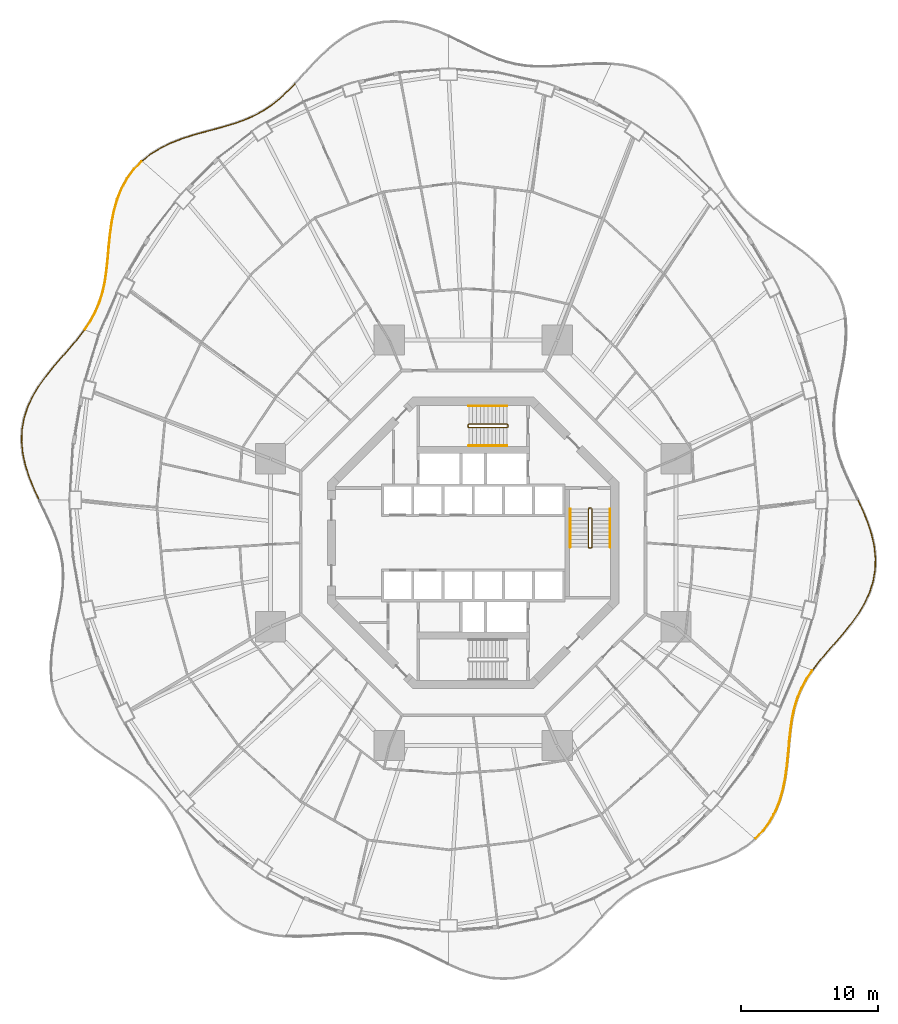
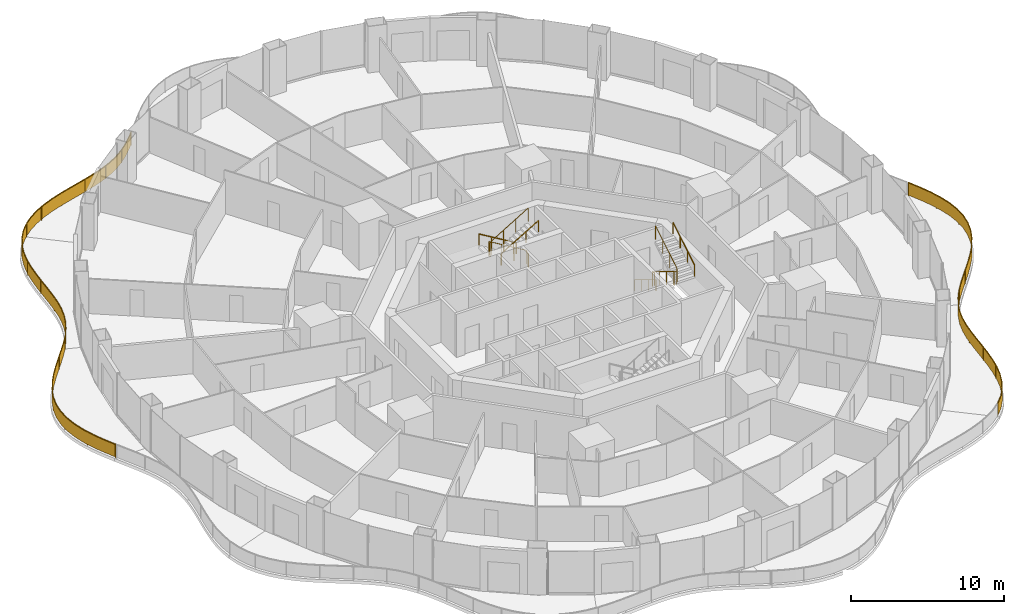
# One storey, part 21 of 22: 11 railings.
"""IFC4 building model written with IfcOpenShell, lengths in metres."""

from ifc_helpers import new_model, si_unit, direction, frame, origin, origin_2d, place, context, subcontext, project, spatial, polyline, rectangle, circle, outline, extrude, material, type_object, element, save


model = new_model("IFC4")

# Units and contexts
model_context = context("Model", 3, precision=1e-05, world=origin(), true_north=direction((0.0, 1.0)))
body_context = subcontext(model_context, "Body", "Model", "MODEL_VIEW")
ifc_project = project(units=[si_unit("LENGTHUNIT", "METRE"), si_unit("AREAUNIT", "SQUARE_METRE"), si_unit("VOLUMEUNIT", "CUBIC_METRE"), si_unit("PLANEANGLEUNIT", "RADIAN"), si_unit("MASSUNIT", "GRAM", prefix="KILO")], contexts=[model_context])

# Site, building, storey
site_placement = place(None, origin())
site = spatial("IfcSite", under=ifc_project, at=site_placement, CompositionType="ELEMENT")
building_placement = place(site_placement, origin())
building = spatial("IfcBuilding", under=site, at=building_placement, Name="Nagisa Residences", CompositionType="ELEMENT")
storey_placement = place(building_placement, frame((0.0, 0.0, 84.39990234375)))
storey = spatial("IfcBuildingStorey", under=building, at=storey_placement, Name="L20", CompositionType="ELEMENT", Elevation=84.39990234375)

# Railings
ifc_material_1 = material(Name="Stainless steel 316", Category="steel")
railing_type_1 = type_object("IfcRailingType", Name="BALCONY GUARD 1100", PredefinedType="BALUSTRADE", material=ifc_material_1)
railing_1_placement = place(storey_placement, frame((-13.00927734375, 33.44921875, 0.0)))
element("IfcRailing", 1, at=railing_1_placement, inside=storey, type_object=railing_type_1, Name="guard:L20:bal05-0", PredefinedType="BALUSTRADE", context=body_context, shape_type="SweptSolid", body=[
    extrude(outline(polyline([(-0.50390625, -0.55517578125), (0.01806640625, -0.017333984375), (-0.01806640625, 0.017333984375), (-0.5390625, -0.51953125), (-1.100341796875, -1.042236328125), (-1.6796875, -1.5107421875), (-2.286376953125, -1.921875), (-2.92724609375, -2.2763671875), (-3.59228515625, -2.570556640625), (-4.311279296875, -2.83154296875), (-5.066650390625, -3.06298828125), (-5.8525390625, -3.279052734375), (-6.659423828125, -3.495849609375), (-7.463134765625, -3.71923828125), (-8.273681640625, -3.985595703125), (-9.0634765625, -4.2978515625), (-9.816650390625, -4.667724609375), (-10.51904296875, -5.102783203125), (-11.1201171875, -5.5771484375), (-11.08935546875, -5.6162109375), (-10.490234375, -5.143798828125), (-9.792236328125, -4.711669921875), (-9.04296875, -4.34375), (-8.256591796875, -4.032470703125), (-7.448486328125, -3.76708984375), (-6.646240234375, -3.544189453125), (-5.83935546875, -3.327392578125), (-5.052490234375, -3.11083984375), (-4.295166015625, -2.87890625), (-3.57373046875, -2.616943359375), (-2.90478515625, -2.3212890625), (-2.260009765625, -1.96435546875), (-1.64990234375, -1.55078125), (-1.067626953125, -1.079833984375), (-0.50390625, -0.55517578125)])), frame((0.0, 0.0, 1.050048828125)), (0.0, 0.0, 1.0), 0.050048828125),
    extrude(outline(polyline([(-0.5166015625, -0.542236328125), (0.005126953125, -0.0048828125), (-0.005126953125, 0.0048828125), (-0.5263671875, -0.532470703125), (-1.088623046875, -1.0556640625), (-1.6689453125, -1.525146484375), (-2.27685546875, -1.937255859375), (-2.919189453125, -2.29248046875), (-3.585693359375, -2.587158203125), (-4.305419921875, -2.8486328125), (-5.0615234375, -3.080078125), (-5.847900390625, -3.29638671875), (-6.65478515625, -3.51318359375), (-7.457763671875, -3.736572265625), (-8.267578125, -4.00244140625), (-9.05615234375, -4.314453125), (-9.807861328125, -4.68359375), (-10.508544921875, -5.117431640625), (-11.109130859375, -5.591064453125), (-11.100341796875, -5.602294921875), (-10.500732421875, -5.129150390625), (-9.801025390625, -4.69580078125), (-9.05029296875, -4.3271484375), (-8.2626953125, -4.015625), (-7.453857421875, -3.749755859375), (-6.65087890625, -3.52685546875), (-5.843994140625, -3.31005859375), (-5.0576171875, -3.09375), (-4.301025390625, -2.86181640625), (-3.580322265625, -2.600341796875), (-2.912841796875, -2.30517578125), (-2.26953125, -1.948974609375), (-1.66064453125, -1.536376953125), (-1.079345703125, -1.06640625), (-0.5166015625, -0.542236328125)])), frame((0.0, 0.0, 0.06005859375)), (0.0, 0.0, 1.0), 0.989990234375),
    extrude(rectangle(XDim=0.0400390625, YDim=0.0400390625, at=origin_2d()), origin(), (0.0, 0.0, 1.0), 1.050048828125),
    extrude(rectangle(XDim=0.0400390625, YDim=0.0400390625, at=origin_2d()), frame((-1.540771484375, -1.430419921875, 0.0)), (0.0, 0.0, 1.0), 1.050048828125),
    extrude(rectangle(XDim=0.0400390625, YDim=0.0400390625, at=origin_2d()), frame((-3.35107421875, -2.4912109375, 0.0)), (0.0, 0.0, 1.0), 1.050048828125),
    extrude(rectangle(XDim=0.0400390625, YDim=0.0400390625, at=origin_2d()), frame((-5.34326171875, -3.164794921875, 0.0)), (0.0, 0.0, 1.0), 1.050048828125),
    extrude(rectangle(XDim=0.0400390625, YDim=0.0400390625, at=origin_2d()), frame((-7.373291015625, -3.72021484375, 0.0)), (0.0, 0.0, 1.0), 1.050048828125),
    extrude(rectangle(XDim=0.0400390625, YDim=0.0400390625, at=origin_2d()), frame((-9.34033203125, -4.4619140625, 0.0)), (0.0, 0.0, 1.0), 1.050048828125),
    extrude(rectangle(XDim=0.0400390625, YDim=0.0400390625, at=origin_2d()), frame((-11.104736328125, -5.5966796875, 0.0)), (0.0, 0.0, 1.0), 1.050048828125),
])
railing_2_placement = place(storey_placement, frame((-24.171630859375, 27.801025390625, 0.0)))
element("IfcRailing", 2, at=railing_2_placement, inside=storey, type_object=railing_type_1, Name="guard:L20:bal06-0", PredefinedType="BALUSTRADE", context=body_context, shape_type="SweptSolid", body=[
    extrude(outline(polyline([(-0.53662109375, -0.58544921875), (0.017822265625, -0.017578125), (-0.017822265625, 0.017578125), (-0.57470703125, -0.552734375), (-1.07568359375, -1.23193359375), (-1.485107421875, -1.9765625), (-1.805908203125, -2.7763671875), (-2.0458984375, -3.61767578125), (-2.209228515625, -4.4736328125), (-2.329833984375, -5.354248046875), (-2.41845703125, -6.232666015625), (-2.49609375, -7.0966796875), (-2.58447265625, -7.936279296875), (-2.69580078125, -8.730712890625), (-2.861083984375, -9.502685546875), (-3.086669921875, -10.239013671875), (-3.380859375, -10.94189453125), (-3.746337890625, -11.6171875), (-4.15771484375, -12.23681640625), (-4.1162109375, -12.2646484375), (-3.703369140625, -11.64306640625), (-3.33544921875, -10.96337890625), (-3.039306640625, -10.256103515625), (-2.812744140625, -9.515380859375), (-2.646484375, -8.739501953125), (-2.53466796875, -7.942138671875), (-2.4462890625, -7.1015625), (-2.36865234375, -6.237548828125), (-2.280029296875, -5.360107421875), (-2.159912109375, -4.48193359375), (-1.9970703125, -3.62939453125), (-1.758544921875, -2.79248046875), (-1.439697265625, -1.998046875), (-1.033203125, -1.2587890625), (-0.53662109375, -0.58544921875)])), frame((0.0, 0.0, 1.050048828125)), (0.0, 0.0, 1.0), 0.050048828125),
    extrude(outline(polyline([(-0.55029296875, -0.57373046875), (0.005126953125, -0.0048828125), (-0.005126953125, 0.0048828125), (-0.56103515625, -0.564453125), (-1.060302734375, -1.24169921875), (-1.46875, -1.984375), (-1.788818359375, -2.7822265625), (-2.0283203125, -3.621826171875), (-2.19140625, -4.4765625), (-2.311767578125, -5.3564453125), (-2.400634765625, -6.234375), (-2.478271484375, -7.098388671875), (-2.56640625, -7.9384765625), (-2.677978515625, -8.73388671875), (-2.84375, -9.50732421875), (-3.069580078125, -10.2451171875), (-3.364501953125, -10.94970703125), (-3.73095703125, -11.62646484375), (-4.142822265625, -12.246826171875), (-4.131103515625, -12.254638671875), (-3.71875, -11.6337890625), (-3.351806640625, -10.95556640625), (-3.056396484375, -10.25), (-2.830078125, -9.5107421875), (-2.664306640625, -8.736328125), (-2.552734375, -7.93994140625), (-2.464111328125, -7.099853515625), (-2.386474609375, -6.23583984375), (-2.298095703125, -5.35791015625), (-2.177734375, -4.47900390625), (-2.0146484375, -3.625244140625), (-1.775634765625, -2.78662109375), (-1.4560546875, -1.990234375), (-1.048583984375, -1.2490234375), (-0.55029296875, -0.57373046875)])), frame((0.0, 0.0, 0.06005859375)), (0.0, 0.0, 1.0), 0.989990234375),
    extrude(rectangle(XDim=0.0400390625, YDim=0.0400390625, at=origin_2d()), origin(), (0.0, 0.0, 1.0), 1.050048828125),
    extrude(rectangle(XDim=0.0400390625, YDim=0.0400390625, at=origin_2d()), frame((-1.327392578125, -1.74169921875, 0.0)), (0.0, 0.0, 1.0), 1.050048828125),
    extrude(rectangle(XDim=0.0400390625, YDim=0.0400390625, at=origin_2d()), frame((-2.05712890625, -3.810546875, 0.0)), (0.0, 0.0, 1.0), 1.050048828125),
    extrude(rectangle(XDim=0.0400390625, YDim=0.0400390625, at=origin_2d()), frame((-2.36865234375, -5.9892578125, 0.0)), (0.0, 0.0, 1.0), 1.050048828125),
    extrude(rectangle(XDim=0.0400390625, YDim=0.0400390625, at=origin_2d()), frame((-2.59326171875, -8.1796875, 0.0)), (0.0, 0.0, 1.0), 1.050048828125),
    extrude(rectangle(XDim=0.0400390625, YDim=0.0400390625, at=origin_2d()), frame((-3.093017578125, -10.319091796875, 0.0)), (0.0, 0.0, 1.0), 1.050048828125),
    extrude(rectangle(XDim=0.0400390625, YDim=0.0400390625, at=origin_2d()), frame((-4.136962890625, -12.250732421875, 0.0)), (0.0, 0.0, 1.0), 1.050048828125),
])
railing_3_placement = place(storey_placement, frame((-28.352294921875, 15.4931640625, 0.0)))
element("IfcRailing", 3, at=railing_3_placement, inside=storey, type_object=railing_type_1, Name="guard:L20:bal07-0", PredefinedType="BALUSTRADE", context=body_context, shape_type="SweptSolid", body=[
    extrude(outline(polyline([(-0.466796875, -0.646240234375), (0.019775390625, -0.015380859375), (-0.019775390625, 0.015380859375), (-0.505859375, -0.614990234375), (-1.065673828125, -1.27685546875), (-1.65380859375, -1.94677734375), (-2.2470703125, -2.6328125), (-2.8193359375, -3.342529296875), (-3.342529296875, -4.06640625), (-3.798828125, -4.833740234375), (-4.164306640625, -5.630615234375), (-4.423583984375, -6.453369140625), (-4.5673828125, -7.297119140625), (-4.59130859375, -8.14111328125), (-4.5029296875, -9.0048828125), (-4.31201171875, -9.8681640625), (-4.035400390625, -10.723388671875), (-3.695556640625, -11.56640625), (-3.33349609375, -12.3515625), (-3.2880859375, -12.33056640625), (-3.649658203125, -11.54638671875), (-3.988525390625, -10.706298828125), (-4.263671875, -9.85498046875), (-4.45361328125, -8.9970703125), (-4.541015625, -8.13916015625), (-4.517578125, -7.302001953125), (-4.374755859375, -6.465087890625), (-4.117431640625, -5.648681640625), (-3.75439453125, -4.857177734375), (-3.300537109375, -4.09375), (-2.77978515625, -3.372802734375), (-2.20849609375, -2.6650390625), (-1.6162109375, -1.9794921875), (-1.027587890625, -1.3095703125), (-0.466796875, -0.646240234375)])), frame((0.0, 0.0, 1.050048828125)), (0.0, 0.0, 1.0), 0.050048828125),
    extrude(outline(polyline([(-0.48095703125, -0.635009765625), (0.005615234375, -0.00439453125), (-0.005615234375, 0.00439453125), (-0.49169921875, -0.626220703125), (-1.052001953125, -1.28857421875), (-1.640380859375, -1.95849609375), (-2.233154296875, -2.64453125), (-2.80517578125, -3.353515625), (-3.327392578125, -4.076171875), (-3.78271484375, -4.84228515625), (-4.1474609375, -5.63720703125), (-4.406005859375, -6.45751953125), (-4.549560546875, -7.298828125), (-4.5732421875, -8.140380859375), (-4.485107421875, -9.002197265625), (-4.294677734375, -9.863525390625), (-4.0185546875, -10.71728515625), (-3.678955078125, -11.55908203125), (-3.317138671875, -12.343994140625), (-3.304443359375, -12.338134765625), (-3.666259765625, -11.5537109375), (-4.00537109375, -10.71240234375), (-4.281005859375, -9.859619140625), (-4.471435546875, -8.999755859375), (-4.55908203125, -8.139892578125), (-4.535400390625, -7.30029296875), (-4.392333984375, -6.4609375), (-4.13427734375, -5.64208984375), (-3.7705078125, -4.8486328125), (-3.315673828125, -4.083984375), (-2.7939453125, -3.36181640625), (-2.222412109375, -2.6533203125), (-1.629638671875, -1.9677734375), (-1.041259765625, -1.2978515625), (-0.48095703125, -0.635009765625)])), frame((0.0, 0.0, 0.06005859375)), (0.0, 0.0, 1.0), 0.989990234375),
    extrude(rectangle(XDim=0.0400390625, YDim=0.0400390625, at=origin_2d()), origin(), (0.0, 0.0, 1.0), 1.050048828125),
    extrude(rectangle(XDim=0.0400390625, YDim=0.0400390625, at=origin_2d()), frame((-1.48779296875, -1.79541015625, 0.0)), (0.0, 0.0, 1.0), 1.050048828125),
    extrude(rectangle(XDim=0.0400390625, YDim=0.0400390625, at=origin_2d()), frame((-2.970947265625, -3.5947265625, 0.0)), (0.0, 0.0, 1.0), 1.050048828125),
    extrude(rectangle(XDim=0.0400390625, YDim=0.0400390625, at=origin_2d()), frame((-4.128173828125, -5.612060546875, 0.0)), (0.0, 0.0, 1.0), 1.050048828125),
    extrude(rectangle(XDim=0.0400390625, YDim=0.0400390625, at=origin_2d()), frame((-4.55908203125, -7.889892578125, 0.0)), (0.0, 0.0, 1.0), 1.050048828125),
    extrude(rectangle(XDim=0.0400390625, YDim=0.0400390625, at=origin_2d()), frame((-4.1845703125, -10.180908203125, 0.0)), (0.0, 0.0, 1.0), 1.050048828125),
    extrude(rectangle(XDim=0.0400390625, YDim=0.0400390625, at=origin_2d()), frame((-3.310791015625, -12.341064453125, 0.0)), (0.0, 0.0, 1.0), 1.050048828125),
])
railing_4_placement = place(storey_placement, frame((20.571533203125, -21.5654296875, 0.0)))
element("IfcRailing", 4, at=railing_4_placement, inside=storey, type_object=railing_type_1, Name="guard:L20:bal14-0", PredefinedType="BALUSTRADE", context=body_context, shape_type="SweptSolid", body=[
    extrude(outline(polyline([(0.53662109375, 0.58544921875), (-0.017822265625, 0.017578125), (0.017822265625, -0.017578125), (0.57470703125, 0.552734375), (1.075927734375, 1.231689453125), (1.4853515625, 1.976318359375), (1.805908203125, 2.776123046875), (2.0458984375, 3.61767578125), (2.209228515625, 4.473388671875), (2.329833984375, 5.35400390625), (2.41845703125, 6.232421875), (2.496337890625, 7.0966796875), (2.58447265625, 7.93603515625), (2.696044921875, 8.73046875), (2.861083984375, 9.50244140625), (3.0869140625, 10.23876953125), (3.380859375, 10.941650390625), (3.746337890625, 11.616943359375), (4.15771484375, 12.236572265625), (4.1162109375, 12.264404296875), (3.703369140625, 11.642822265625), (3.33544921875, 10.963134765625), (3.03955078125, 10.255859375), (2.812744140625, 9.51513671875), (2.646728515625, 8.7392578125), (2.53466796875, 7.94189453125), (2.446533203125, 7.1015625), (2.36865234375, 6.2373046875), (2.280029296875, 5.35986328125), (2.159912109375, 4.481689453125), (1.9970703125, 3.62939453125), (1.758544921875, 2.792236328125), (1.43994140625, 1.997802734375), (1.033447265625, 1.258544921875), (0.53662109375, 0.58544921875)])), frame((0.0, 0.0, 1.050048828125)), (0.0, 0.0, 1.0), 0.050048828125),
    extrude(outline(polyline([(0.55029296875, 0.57373046875), (-0.005126953125, 0.0048828125), (0.005126953125, -0.0048828125), (0.56103515625, 0.564453125), (1.060546875, 1.241455078125), (1.468994140625, 1.984130859375), (1.788818359375, 2.781982421875), (2.0283203125, 3.621826171875), (2.19140625, 4.476318359375), (2.311767578125, 5.356201171875), (2.400634765625, 6.234130859375), (2.478515625, 7.098388671875), (2.56640625, 7.938232421875), (2.67822265625, 8.733642578125), (2.84375, 9.507080078125), (3.06982421875, 10.244873046875), (3.364501953125, 10.949462890625), (3.73095703125, 11.626220703125), (4.142822265625, 12.24658203125), (4.131103515625, 12.25439453125), (3.71875, 11.633544921875), (3.351806640625, 10.955322265625), (3.056640625, 10.249755859375), (2.830078125, 9.510498046875), (2.66455078125, 8.736083984375), (2.552734375, 7.939697265625), (2.46435546875, 7.099853515625), (2.386474609375, 6.235595703125), (2.298095703125, 5.357666015625), (2.177734375, 4.478759765625), (2.0146484375, 3.625244140625), (1.775634765625, 2.786376953125), (1.456298828125, 1.989990234375), (1.048828125, 1.248779296875), (0.55029296875, 0.57373046875)])), frame((0.0, 0.0, 0.06005859375)), (0.0, 0.0, 1.0), 0.989990234375),
    extrude(rectangle(XDim=0.0400390625, YDim=0.0400390625, at=origin_2d()), origin(), (0.0, 0.0, 1.0), 1.050048828125),
    extrude(rectangle(XDim=0.0400390625, YDim=0.0400390625, at=origin_2d()), frame((1.32763671875, 1.741455078125, 0.0)), (0.0, 0.0, 1.0), 1.050048828125),
    extrude(rectangle(XDim=0.0400390625, YDim=0.0400390625, at=origin_2d()), frame((2.05712890625, 3.810546875, 0.0)), (0.0, 0.0, 1.0), 1.050048828125),
    extrude(rectangle(XDim=0.0400390625, YDim=0.0400390625, at=origin_2d()), frame((2.36865234375, 5.989013671875, 0.0)), (0.0, 0.0, 1.0), 1.050048828125),
    extrude(rectangle(XDim=0.0400390625, YDim=0.0400390625, at=origin_2d()), frame((2.59326171875, 8.179443359375, 0.0)), (0.0, 0.0, 1.0), 1.050048828125),
    extrude(rectangle(XDim=0.0400390625, YDim=0.0400390625, at=origin_2d()), frame((3.093017578125, 10.31884765625, 0.0)), (0.0, 0.0, 1.0), 1.050048828125),
    extrude(rectangle(XDim=0.0400390625, YDim=0.0400390625, at=origin_2d()), frame((4.136962890625, 12.25048828125, 0.0)), (0.0, 0.0, 1.0), 1.050048828125),
])
railing_5_placement = place(storey_placement, frame((24.752197265625, -9.257568359375, 0.0)))
element("IfcRailing", 5, at=railing_5_placement, inside=storey, type_object=railing_type_1, Name="guard:L20:bal15-0", PredefinedType="BALUSTRADE", context=body_context, shape_type="SweptSolid", body=[
    extrude(outline(polyline([(0.467041015625, 0.646240234375), (-0.019775390625, 0.015380859375), (0.019775390625, -0.015380859375), (0.506103515625, 0.614990234375), (1.065673828125, 1.27685546875), (1.65380859375, 1.946533203125), (2.2470703125, 2.632568359375), (2.8193359375, 3.34228515625), (3.3427734375, 4.066162109375), (3.798828125, 4.83349609375), (4.164306640625, 5.63037109375), (4.423828125, 6.453369140625), (4.5673828125, 7.296875), (4.591552734375, 8.140869140625), (4.5029296875, 9.004638671875), (4.31201171875, 9.867919921875), (4.03564453125, 10.723388671875), (3.695556640625, 11.566162109375), (3.333740234375, 12.351318359375), (3.288330078125, 12.330322265625), (3.649658203125, 11.546142578125), (3.98876953125, 10.706298828125), (4.263671875, 9.854736328125), (4.45361328125, 8.996826171875), (4.541259765625, 8.138916015625), (4.517578125, 7.3017578125), (4.375, 6.465087890625), (4.117431640625, 5.6484375), (3.75439453125, 4.85693359375), (3.30078125, 4.093505859375), (2.77978515625, 3.37255859375), (2.20849609375, 2.664794921875), (1.6162109375, 1.979248046875), (1.027587890625, 1.3095703125), (0.467041015625, 0.646240234375)])), frame((0.0, 0.0, 1.050048828125)), (0.0, 0.0, 1.0), 0.050048828125),
    extrude(outline(polyline([(0.481201171875, 0.635009765625), (-0.005615234375, 0.00439453125), (0.005615234375, -0.00439453125), (0.491943359375, 0.626220703125), (1.052001953125, 1.28857421875), (1.640380859375, 1.958251953125), (2.233154296875, 2.644287109375), (2.80517578125, 3.353271484375), (3.32763671875, 4.075927734375), (3.78271484375, 4.842041015625), (4.1474609375, 5.636962890625), (4.40625, 6.45751953125), (4.549560546875, 7.298583984375), (4.573486328125, 8.14013671875), (4.485107421875, 9.001953125), (4.294677734375, 9.86328125), (4.018798828125, 10.71728515625), (3.678955078125, 11.558837890625), (3.3173828125, 12.34375), (3.3046875, 12.337890625), (3.666259765625, 11.553466796875), (4.005615234375, 10.71240234375), (4.281005859375, 9.859375), (4.471435546875, 8.99951171875), (4.559326171875, 8.1396484375), (4.535400390625, 7.300048828125), (4.392578125, 6.4609375), (4.13427734375, 5.641845703125), (3.7705078125, 4.848388671875), (3.31591796875, 4.083740234375), (2.7939453125, 3.361572265625), (2.222412109375, 2.653076171875), (1.629638671875, 1.967529296875), (1.041259765625, 1.2978515625), (0.481201171875, 0.635009765625)])), frame((0.0, 0.0, 0.06005859375)), (0.0, 0.0, 1.0), 0.989990234375),
    extrude(rectangle(XDim=0.0400390625, YDim=0.0400390625, at=origin_2d()), origin(), (0.0, 0.0, 1.0), 1.050048828125),
    extrude(rectangle(XDim=0.0400390625, YDim=0.0400390625, at=origin_2d()), frame((1.48779296875, 1.79541015625, 0.0)), (0.0, 0.0, 1.0), 1.050048828125),
    extrude(rectangle(XDim=0.0400390625, YDim=0.0400390625, at=origin_2d()), frame((2.970947265625, 3.594482421875, 0.0)), (0.0, 0.0, 1.0), 1.050048828125),
    extrude(rectangle(XDim=0.0400390625, YDim=0.0400390625, at=origin_2d()), frame((4.128173828125, 5.61181640625, 0.0)), (0.0, 0.0, 1.0), 1.050048828125),
    extrude(rectangle(XDim=0.0400390625, YDim=0.0400390625, at=origin_2d()), frame((4.559326171875, 7.8896484375, 0.0)), (0.0, 0.0, 1.0), 1.050048828125),
    extrude(rectangle(XDim=0.0400390625, YDim=0.0400390625, at=origin_2d()), frame((4.184814453125, 10.1806640625, 0.0)), (0.0, 0.0, 1.0), 1.050048828125),
    extrude(rectangle(XDim=0.0400390625, YDim=0.0400390625, at=origin_2d()), frame((3.31103515625, 12.3408203125, 0.0)), (0.0, 0.0, 1.0), 1.050048828125),
])
ifc_material_2 = material(Name="Stainless steel", Category="steel")
railing_type_2 = type_object("IfcRailingType", Name="Stair guard 1100", PredefinedType="GUARDRAIL", material=ifc_material_2)
railing_6_placement = place(storey_placement, frame((8.599609375, 2.52490234375, 0.0)))
element("IfcRailing", 6, at=railing_6_placement, inside=storey, type_object=railing_type_2, Name="L20 ST-E stair guard 1", PredefinedType="GUARDRAIL", context=body_context, shape_type="SweptSolid", body=[
    extrude(circle(Radius=0.02392578125, at=origin_2d()), frame((0.0, 0.0, 1.076171875), z_axis=(-1.0, 0.0, 0.0), x_axis=(0.0, -1.0, 0.0)), (0.0, 0.0, 1.0), 0.14990234375),
    extrude(circle(Radius=0.02392578125, at=origin_2d()), frame((-0.14990234375, 0.0, 1.076171875), z_axis=(-0.27434429532, -0.273006030465, 0.922064485248), x_axis=(0.705375805398, -0.708833529934, 0.0)), (0.0, 0.0, 1.0), 0.182373046875),
    extrude(circle(Radius=0.02392578125, at=origin_2d()), frame((-0.199951171875, -0.0498046875, 1.244140625), z_axis=(0.0, -0.857242210791, 0.514913383045), x_axis=(1.0, 0.0, 0.0)), (0.0, 0.0, 1.0), 3.266357421875),
    extrude(circle(Radius=0.02392578125, at=origin_2d()), frame((-0.199951171875, -2.849853515625, 2.92626953125), z_axis=(0.707106781187, -0.707106781187, 0.0), x_axis=(0.707106781187, 0.707106781187, 0.0)), (0.0, 0.0, 1.0), 0.07080078125),
    extrude(circle(Radius=0.02392578125, at=origin_2d()), frame((-0.14990234375, -2.89990234375, 2.92626953125), z_axis=(1.0, 0.0, 0.0), x_axis=(0.0, 1.0, 0.0)), (0.0, 0.0, 1.0), 0.14990234375),
    extrude(circle(Radius=0.02392578125, at=origin_2d()), frame((0.0, -2.89990234375, 2.92626953125), z_axis=(0.274243871929, 0.274243871929, 0.92172696468), x_axis=(-0.707106781187, 0.707106781187, 0.0)), (0.0, 0.0, 1.0), 0.1826171875),
    extrude(circle(Radius=0.02392578125, at=origin_2d()), frame((0.050048828125, -2.849853515625, 3.09423828125), z_axis=(0.0, 0.857242210791, 0.514913383045), x_axis=(-1.0, 0.0, 0.0)), (0.0, 0.0, 1.0), 3.266357421875),
    extrude(circle(Radius=0.02099609375, at=origin_2d()), origin(), (0.0, 0.0, 1.0), 1.052001953125),
    extrude(circle(Radius=0.02099609375, at=origin_2d()), frame((-0.14990234375, 0.0, 0.0)), (0.0, 0.0, 1.0), 1.052001953125),
    extrude(circle(Radius=0.02099609375, at=origin_2d()), frame((-0.199951171875, -0.0498046875, 0.168212890625)), (0.0, 0.0, 1.0), 1.052001953125),
    extrude(circle(Radius=0.02099609375, at=origin_2d()), frame((-0.199951171875, -0.983154296875, 0.728759765625)), (0.0, 0.0, 1.0), 1.052001953125),
    extrude(circle(Radius=0.02099609375, at=origin_2d()), frame((-0.199951171875, -1.91650390625, 1.28955078125)), (0.0, 0.0, 1.0), 1.052001953125),
    extrude(circle(Radius=0.02099609375, at=origin_2d()), frame((-0.199951171875, -2.849853515625, 1.85009765625)), (0.0, 0.0, 1.0), 1.052001953125),
    extrude(circle(Radius=0.02099609375, at=origin_2d()), frame((-0.14990234375, -2.89990234375, 1.85009765625)), (0.0, 0.0, 1.0), 1.052001953125),
    extrude(circle(Radius=0.02099609375, at=origin_2d()), frame((0.0, -2.89990234375, 1.85009765625)), (0.0, 0.0, 1.0), 1.052001953125),
    extrude(circle(Radius=0.02099609375, at=origin_2d()), frame((0.050048828125, -2.849853515625, 2.018310546875)), (0.0, 0.0, 1.0), 1.052001953125),
    extrude(circle(Radius=0.02099609375, at=origin_2d()), frame((0.050048828125, -1.91650390625, 2.578857421875)), (0.0, 0.0, 1.0), 1.052001953125),
    extrude(circle(Radius=0.02099609375, at=origin_2d()), frame((0.050048828125, -0.983154296875, 3.1396484375)), (0.0, 0.0, 1.0), 1.052001953125),
    extrude(circle(Radius=0.02099609375, at=origin_2d()), frame((0.050048828125, -0.0498046875, 3.7001953125)), (0.0, 0.0, 1.0), 1.052001953125),
])
railing_7_placement = place(storey_placement, frame((2.52490234375, 8.44970703125, 0.0)))
element("IfcRailing", 7, at=railing_7_placement, inside=storey, type_object=railing_type_2, Name="L20 ST-N stair guard 1", PredefinedType="GUARDRAIL", context=body_context, shape_type="SweptSolid", body=[
    extrude(circle(Radius=0.02392578125, at=origin_2d()), frame((0.0, 0.0, 1.076171875), z_axis=(0.0, 1.0, 0.0), x_axis=(-1.0, 0.0, 0.0)), (0.0, 0.0, 1.0), 0.14990234375),
    extrude(circle(Radius=0.02392578125, at=origin_2d()), frame((0.0, 0.14990234375, 1.076171875), z_axis=(-0.273006030465, 0.27434429532, 0.922064485248), x_axis=(-0.708833529934, -0.705375805398, 0.0)), (0.0, 0.0, 1.0), 0.182373046875),
    extrude(circle(Radius=0.02392578125, at=origin_2d()), frame((-0.0498046875, 0.199951171875, 1.244140625), z_axis=(-0.857242210791, 0.0, 0.514913383045), x_axis=(0.0, -1.0, 0.0)), (0.0, 0.0, 1.0), 3.266357421875),
    extrude(circle(Radius=0.02392578125, at=origin_2d()), frame((-2.849853515625, 0.199951171875, 2.92626953125), z_axis=(-0.707106781187, -0.707106781187, 0.0), x_axis=(0.707106781187, -0.707106781187, 0.0)), (0.0, 0.0, 1.0), 0.07080078125),
    extrude(circle(Radius=0.02392578125, at=origin_2d()), frame((-2.89990234375, 0.14990234375, 2.92626953125), z_axis=(0.0, -1.0, 0.0), x_axis=(1.0, 0.0, 0.0)), (0.0, 0.0, 1.0), 0.14990234375),
    extrude(circle(Radius=0.02392578125, at=origin_2d()), frame((-2.89990234375, 0.0, 2.92626953125), z_axis=(0.274243871929, -0.274243871929, 0.92172696468), x_axis=(0.707106781187, 0.707106781187, 0.0)), (0.0, 0.0, 1.0), 0.1826171875),
    extrude(circle(Radius=0.02392578125, at=origin_2d()), frame((-2.849853515625, -0.050048828125, 3.09423828125), z_axis=(0.857242210791, 0.0, 0.514913383045), x_axis=(0.0, 1.0, 0.0)), (0.0, 0.0, 1.0), 3.266357421875),
    extrude(circle(Radius=0.02099609375, at=origin_2d()), origin(), (0.0, 0.0, 1.0), 1.052001953125),
    extrude(circle(Radius=0.02099609375, at=origin_2d()), frame((0.0, 0.14990234375, 0.0)), (0.0, 0.0, 1.0), 1.052001953125),
    extrude(circle(Radius=0.02099609375, at=origin_2d()), frame((-0.0498046875, 0.199951171875, 0.168212890625)), (0.0, 0.0, 1.0), 1.052001953125),
    extrude(circle(Radius=0.02099609375, at=origin_2d()), frame((-0.983154296875, 0.199951171875, 0.728759765625)), (0.0, 0.0, 1.0), 1.052001953125),
    extrude(circle(Radius=0.02099609375, at=origin_2d()), frame((-1.91650390625, 0.199951171875, 1.28955078125)), (0.0, 0.0, 1.0), 1.052001953125),
    extrude(circle(Radius=0.02099609375, at=origin_2d()), frame((-2.849853515625, 0.199951171875, 1.85009765625)), (0.0, 0.0, 1.0), 1.052001953125),
    extrude(circle(Radius=0.02099609375, at=origin_2d()), frame((-2.89990234375, 0.14990234375, 1.85009765625)), (0.0, 0.0, 1.0), 1.052001953125),
    extrude(circle(Radius=0.02099609375, at=origin_2d()), frame((-2.89990234375, 0.0, 1.85009765625)), (0.0, 0.0, 1.0), 1.052001953125),
    extrude(circle(Radius=0.02099609375, at=origin_2d()), frame((-2.849853515625, -0.050048828125, 2.018310546875)), (0.0, 0.0, 1.0), 1.052001953125),
    extrude(circle(Radius=0.02099609375, at=origin_2d()), frame((-1.91650390625, -0.050048828125, 2.578857421875)), (0.0, 0.0, 1.0), 1.052001953125),
    extrude(circle(Radius=0.02099609375, at=origin_2d()), frame((-0.983154296875, -0.050048828125, 3.1396484375)), (0.0, 0.0, 1.0), 1.052001953125),
    extrude(circle(Radius=0.02099609375, at=origin_2d()), frame((-0.0498046875, -0.050048828125, 3.7001953125)), (0.0, 0.0, 1.0), 1.052001953125),
])
ifc_material_3 = material(Name="Stainless steel", Category="steel")
railing_type_3 = type_object("IfcRailingType", Name="Stair handrail 900", PredefinedType="HANDRAIL", material=ifc_material_3)
railing_8_placement = place(storey_placement, frame((7.07470703125, 2.47509765625, 0.168212890625)))
element("IfcRailing", 8, at=railing_8_placement, inside=storey, type_object=railing_type_3, Name="L20 ST-E stair handrail 1", PredefinedType="HANDRAIL", context=body_context, shape_type="SweptSolid", body=[
    extrude(circle(Radius=0.02392578125, at=origin_2d()), frame((0.0, 0.0, 0.8759765625), z_axis=(0.0, -0.857242210791, 0.514913383045), x_axis=(1.0, 0.0, 0.0)), (0.0, 0.0, 1.0), 3.266357421875),
    extrude(circle(Radius=0.02099609375, at=origin_2d()), origin(), (0.0, 0.0, 1.0), 0.851806640625),
    extrude(circle(Radius=0.02099609375, at=origin_2d()), frame((0.0, -0.933349609375, 0.560546875)), (0.0, 0.0, 1.0), 0.851806640625),
    extrude(circle(Radius=0.02099609375, at=origin_2d()), frame((0.0, -1.86669921875, 1.121337890625)), (0.0, 0.0, 1.0), 0.851806640625),
    extrude(circle(Radius=0.02099609375, at=origin_2d()), frame((0.0, -2.800048828125, 1.681884765625)), (0.0, 0.0, 1.0), 0.851806640625),
])
railing_9_placement = place(storey_placement, frame((9.974609375, -0.324951171875, 2.018310546875)))
element("IfcRailing", 9, at=railing_9_placement, inside=storey, type_object=railing_type_3, Name="L20 ST-E stair handrail 2", PredefinedType="HANDRAIL", context=body_context, shape_type="SweptSolid", body=[
    extrude(circle(Radius=0.02392578125, at=origin_2d()), frame((0.0, 0.0, 0.8759765625), z_axis=(0.0, 0.857242210791, 0.514913383045), x_axis=(-1.0, 0.0, 0.0)), (0.0, 0.0, 1.0), 3.266357421875),
    extrude(circle(Radius=0.02099609375, at=origin_2d()), origin(), (0.0, 0.0, 1.0), 0.851806640625),
    extrude(circle(Radius=0.02099609375, at=origin_2d()), frame((0.0, 0.933349609375, 0.560546875)), (0.0, 0.0, 1.0), 0.851806640625),
    extrude(circle(Radius=0.02099609375, at=origin_2d()), frame((0.0, 1.86669921875, 1.121337890625)), (0.0, 0.0, 1.0), 0.851806640625),
    extrude(circle(Radius=0.02099609375, at=origin_2d()), frame((0.0, 2.800048828125, 1.681884765625)), (0.0, 0.0, 1.0), 0.851806640625),
])
railing_10_placement = place(storey_placement, frame((2.47509765625, 9.974609375, 0.168212890625)))
element("IfcRailing", 10, at=railing_10_placement, inside=storey, type_object=railing_type_3, Name="L20 ST-N stair handrail 1", PredefinedType="HANDRAIL", context=body_context, shape_type="SweptSolid", body=[
    extrude(circle(Radius=0.02392578125, at=origin_2d()), frame((0.0, 0.0, 0.8759765625), z_axis=(-0.857242210791, 0.0, 0.514913383045), x_axis=(0.0, -1.0, 0.0)), (0.0, 0.0, 1.0), 3.266357421875),
    extrude(circle(Radius=0.02099609375, at=origin_2d()), origin(), (0.0, 0.0, 1.0), 0.851806640625),
    extrude(circle(Radius=0.02099609375, at=origin_2d()), frame((-0.933349609375, 0.0, 0.560546875)), (0.0, 0.0, 1.0), 0.851806640625),
    extrude(circle(Radius=0.02099609375, at=origin_2d()), frame((-1.86669921875, 0.0, 1.121337890625)), (0.0, 0.0, 1.0), 0.851806640625),
    extrude(circle(Radius=0.02099609375, at=origin_2d()), frame((-2.800048828125, 0.0, 1.681884765625)), (0.0, 0.0, 1.0), 0.851806640625),
])
railing_11_placement = place(storey_placement, frame((-0.324951171875, 7.07470703125, 2.018310546875)))
element("IfcRailing", 11, at=railing_11_placement, inside=storey, type_object=railing_type_3, Name="L20 ST-N stair handrail 2", PredefinedType="HANDRAIL", context=body_context, shape_type="SweptSolid", body=[
    extrude(circle(Radius=0.02392578125, at=origin_2d()), frame((0.0, 0.0, 0.8759765625), z_axis=(0.857242210791, 0.0, 0.514913383045), x_axis=(0.0, 1.0, 0.0)), (0.0, 0.0, 1.0), 3.266357421875),
    extrude(circle(Radius=0.02099609375, at=origin_2d()), origin(), (0.0, 0.0, 1.0), 0.851806640625),
    extrude(circle(Radius=0.02099609375, at=origin_2d()), frame((0.933349609375, 0.0, 0.560546875)), (0.0, 0.0, 1.0), 0.851806640625),
    extrude(circle(Radius=0.02099609375, at=origin_2d()), frame((1.86669921875, 0.0, 1.121337890625)), (0.0, 0.0, 1.0), 0.851806640625),
    extrude(circle(Radius=0.02099609375, at=origin_2d()), frame((2.800048828125, 0.0, 1.681884765625)), (0.0, 0.0, 1.0), 0.851806640625),
])

save(model, "model.ifc")
